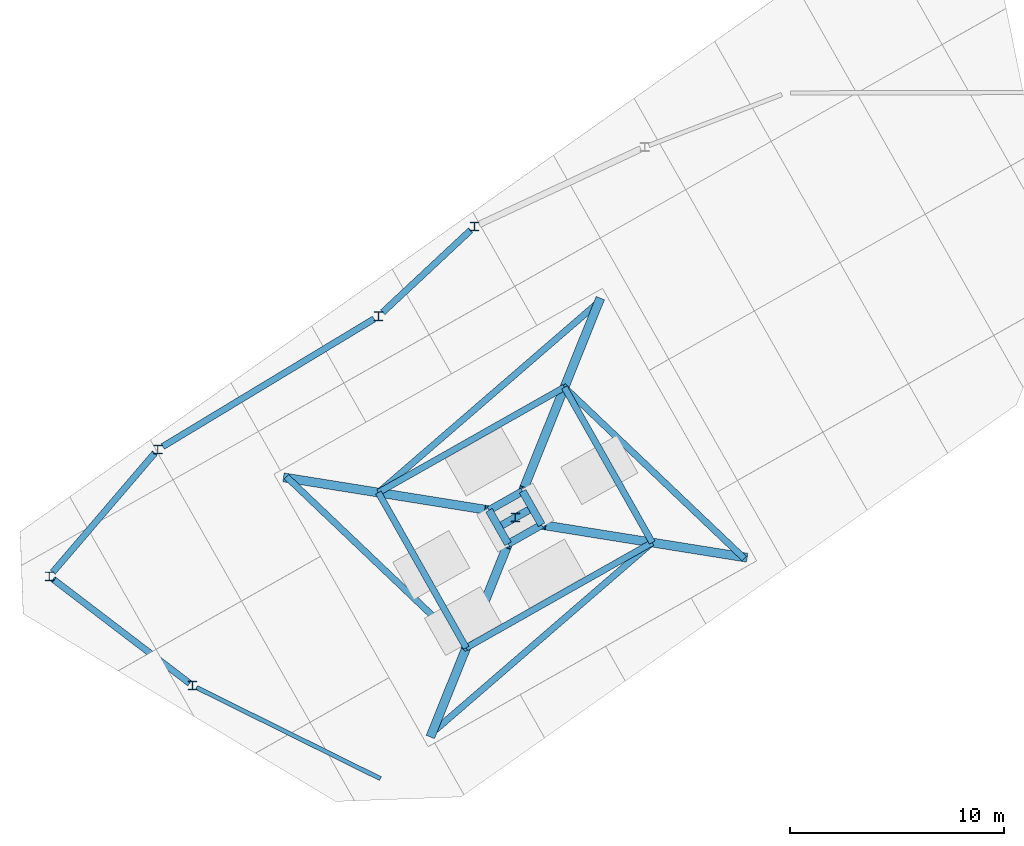
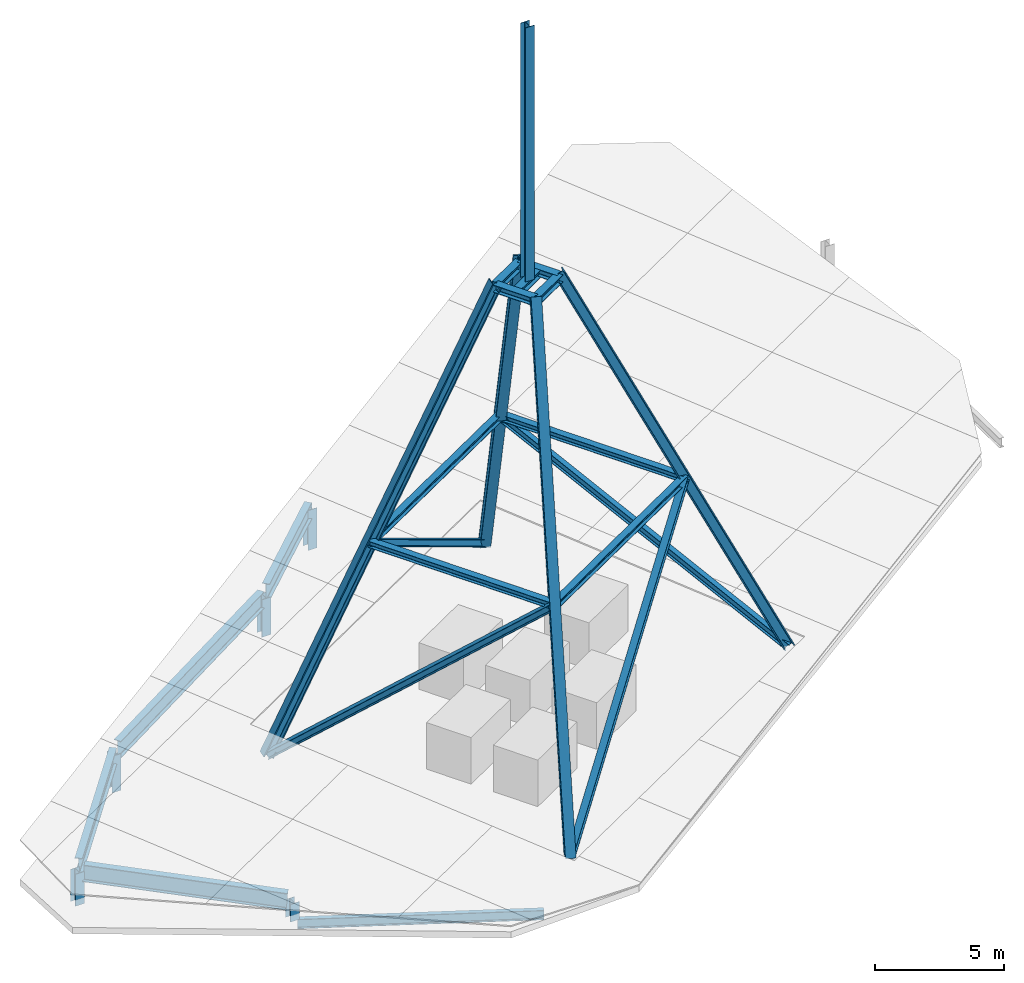
# One storey, part 1 of 5: 27 members, 1 beam.
"""IFC4 building model written with IfcOpenShell, lengths in metres."""

from ifc_helpers import new_model, si_unit, direction, frame, origin, origin_2d, place, context, subcontext, project, spatial, i_section, extrude, material, material_profile, profile_set, type_object, element, save


model = new_model("IFC4")

# Units and contexts
model_context = context("Model", 3, precision=1e-05, world=origin(), true_north=direction((0.0, 1.0)))
body_context = subcontext(model_context, "Body", "Model", "MODEL_VIEW")
ifc_project = project(units=[si_unit("LENGTHUNIT", "METRE"), si_unit("AREAUNIT", "SQUARE_METRE"), si_unit("VOLUMEUNIT", "CUBIC_METRE"), si_unit("PLANEANGLEUNIT", "RADIAN"), si_unit("MASSUNIT", "GRAM", prefix="KILO")], contexts=[model_context])

# Site, building, storey
site_placement = place(None, origin())
site = spatial("IfcSite", under=ifc_project, at=site_placement, CompositionType="ELEMENT")
building_placement = place(site_placement, origin())
building = spatial("IfcBuilding", under=site, at=building_placement, Name="Binnacle Exchange Tower", CompositionType="ELEMENT")
storey_placement = place(building_placement, frame((0.0, 0.0, 372.10009765625)))
storey = spatial("IfcBuildingStorey", under=building, at=storey_placement, Name="RF", CompositionType="ELEMENT", Elevation=372.10009765625)

# Beam
ifc_material_1 = material(Name="Steel S355 (SHN355)", Category="steel")
ifc_material_profile_1 = material_profile(ifc_material_1, i_section(OverallWidth=0.199951171875, OverallDepth=0.449951171875, WebThickness=0.009033203125, FlangeThickness=0.013916015625, FilletRadius=0.01806640625, at=origin_2d()), Name="H 450x200x9x14")
ifc_profile_set_1 = profile_set([ifc_material_profile_1], Name="Steel S355 (SHN355)")
beam_type = type_object("IfcBeamType", Name="Edge girder H 450x200x9x14 Steel S355 (SHN355)", PredefinedType="SPANDREL", material=ifc_profile_set_1)
beam_placement = place(storey_placement, frame((-50.632080078125, 31.841796875, -0.525146484375), z_axis=(0.8960639995, -0.443924890944, 0.0), x_axis=(0.443924890944, 0.8960639995, 0.0)))
element("IfcBeam", 1, at=beam_placement, inside=storey, type_object=beam_type, Name="S:BM:edge:RF:003", PredefinedType="SPANDREL", context=body_context, shape_type="SweptSolid", body=[
    extrude(i_section(OverallWidth=0.199951171875, OverallDepth=0.449951171875, WebThickness=0.009033203125, FlangeThickness=0.013916015625, FilletRadius=0.01806640625, at=origin_2d()), origin(), (0.0, 0.0, 1.0), 9.5703125),
])

# Members
ifc_material_profile_2 = material_profile(ifc_material_1, i_section(OverallWidth=0.35009765625, OverallDepth=0.35009765625, WebThickness=0.011962890625, FlangeThickness=0.01904296875, FilletRadius=0.02001953125, at=origin_2d()), Name="H 350x350x12x19")
ifc_profile_set_2 = profile_set([ifc_material_profile_2], Name="Steel S355 (SHN355)")
member_type_1 = type_object("IfcMemberType", Name="MAST apex ring MS2 H 350x350x12x19 Steel S355 (SHN355)", PredefinedType="STRUT", material=ifc_profile_set_2)
for number, where, z_axis, x_axis, name in (
    (2, (-36.103759765625, 38.539306640625, 19.7998046875), (0.870330346056, 0.492468363181, 0.0), (-0.492468363181, 0.870330346056, 0.0), "S:MS:AR:1"),
    (3, (-34.537109375, 39.42578125, 19.7998046875), (-0.492365617434, 0.870388475779, 0.0), (-0.870388475779, -0.492365617434, 0.0), "S:MS:AR:2"),
    (4, (-35.42333984375, 40.992431640625, 19.7998046875), (-0.870330346056, -0.492468363181, 0.0), (0.492468363181, -0.870330346056, 0.0), "S:MS:AR:3"),
    (5, (-36.989990234375, 40.10595703125, 19.7998046875), (0.492365617434, -0.870388475779, 0.0), (0.870388475779, 0.492365617434, 0.0), "S:MS:AR:4"),
):
    element("IfcMember", number, at=place(storey_placement, frame(where, z_axis=z_axis, x_axis=x_axis)), inside=storey, type_object=member_type_1, Name=name, PredefinedType="STRUT", context=body_context, shape_type="SweptSolid", body=[
        extrude(i_section(OverallWidth=0.35009765625, OverallDepth=0.35009765625, WebThickness=0.011962890625, FlangeThickness=0.01904296875, FilletRadius=0.02001953125, at=origin_2d()), origin(), (0.0, 0.0, 1.0), 1.800048828125),
    ])
ifc_material_profile_3 = material_profile(ifc_material_1, i_section(OverallWidth=0.35009765625, OverallDepth=0.35009765625, WebThickness=0.011962890625, FlangeThickness=0.01904296875, FilletRadius=0.02001953125, at=origin_2d()), Name="H 350x350x12x19")
ifc_profile_set_3 = profile_set([ifc_material_profile_3], Name="Steel S355 (SHN355)")
member_type_2 = type_object("IfcMemberType", Name="MAST apex tie MS6 H 350x350x12x19 Steel S355 (SHN355)", PredefinedType="STRUT", material=ifc_profile_set_3)
member_1_placement = place(storey_placement, frame((-36.546875, 39.32275390625, 19.7998046875), z_axis=(0.870388475779, 0.492365617434, 0.0), x_axis=(-0.492365617434, 0.870388475779, 0.0)))
element("IfcMember", 6, at=member_1_placement, inside=storey, type_object=member_type_2, Name="S:MS:TIE", PredefinedType="STRUT", context=body_context, shape_type="SweptSolid", body=[
    extrude(i_section(OverallWidth=0.35009765625, OverallDepth=0.35009765625, WebThickness=0.011962890625, FlangeThickness=0.01904296875, FilletRadius=0.02001953125, at=origin_2d()), origin(), (0.0, 0.0, 1.0), 1.800048828125),
])
ifc_material_profile_4 = material_profile(ifc_material_1, i_section(OverallWidth=0.300048828125, OverallDepth=0.300048828125, WebThickness=0.010009765625, FlangeThickness=0.014892578125, FilletRadius=0.01806640625, at=origin_2d()), Name="H 300x300x10x15")
ifc_profile_set_4 = profile_set([ifc_material_profile_4], Name="Steel S355 (SHN355)")
member_type_3 = type_object("IfcMemberType", Name="MAST brace MS5 H 300x300x10x15 Steel S355 (SHN355)", PredefinedType="BRACE", material=ifc_profile_set_4)
member_2_placement = place(storey_placement, frame((-39.6484375, 29.726318359375, 0.0), z_axis=(0.630627707398, 0.54489400025, 0.552629372323), x_axis=(-0.65379921324, 0.756668083618, 0.0)))
element("IfcMember", 7, at=member_2_placement, inside=storey, type_object=member_type_3, Name="S:MS:BR:1", PredefinedType="BRACE", context=body_context, shape_type="SweptSolid", body=[
    extrude(i_section(OverallWidth=0.300048828125, OverallDepth=0.300048828125, WebThickness=0.010009765625, FlangeThickness=0.014892578125, FilletRadius=0.01806640625, at=origin_2d()), origin(), (0.0, 0.0, 1.0), 16.285888671875),
])
member_3_placement = place(storey_placement, frame((-25.156982421875, 37.925048828125, 0.0), z_axis=(-0.570117421476, 0.542537033095, 0.616943833303), x_axis=(-0.689367320419, -0.724411966728, 0.0)))
element("IfcMember", 8, at=member_3_placement, inside=storey, type_object=member_type_3, Name="S:MS:BR:2", PredefinedType="BRACE", context=body_context, shape_type="SweptSolid", body=[
    extrude(i_section(OverallWidth=0.300048828125, OverallDepth=0.300048828125, WebThickness=0.010009765625, FlangeThickness=0.014892578125, FilletRadius=0.01806640625, at=origin_2d()), origin(), (0.0, 0.0, 1.0), 14.588134765625),
])
member_4_placement = place(storey_placement, frame((-31.878662109375, 49.805419921875, 0.0), z_axis=(-0.630636736498, -0.544888848964, 0.55262414791), x_axis=(0.65379031488, -0.756675772157, 0.0)))
element("IfcMember", 9, at=member_4_placement, inside=storey, type_object=member_type_3, Name="S:MS:BR:3", PredefinedType="BRACE", context=body_context, shape_type="SweptSolid", body=[
    extrude(i_section(OverallWidth=0.300048828125, OverallDepth=0.300048828125, WebThickness=0.010009765625, FlangeThickness=0.014892578125, FilletRadius=0.01806640625, at=origin_2d()), origin(), (0.0, 0.0, 1.0), 16.285888671875),
])
member_5_placement = place(storey_placement, frame((-46.3701171875, 41.606689453125, 0.0), z_axis=(0.570117421476, -0.542537033095, 0.616943833303), x_axis=(0.689367320419, 0.724411966728, 0.0)))
element("IfcMember", 10, at=member_5_placement, inside=storey, type_object=member_type_3, Name="S:MS:BR:4", PredefinedType="BRACE", context=body_context, shape_type="SweptSolid", body=[
    extrude(i_section(OverallWidth=0.300048828125, OverallDepth=0.300048828125, WebThickness=0.010009765625, FlangeThickness=0.014892578125, FilletRadius=0.01806640625, at=origin_2d()), origin(), (0.0, 0.0, 1.0), 14.588134765625),
])
ifc_material_2 = material(Name="Steel S460 (SHN460)", Category="steel")
ifc_material_profile_5 = material_profile(ifc_material_2, i_section(OverallWidth=0.4169921875, OverallDepth=0.4580078125, WebThickness=0.030029296875, FlangeThickness=0.050048828125, FilletRadius=0.02197265625, at=origin_2d()), Name="H 458x417x30x50")
ifc_profile_set_5 = profile_set([ifc_material_profile_5], Name="Steel S460 (SHN460)")
member_type_4 = type_object("IfcMemberType", Name="MAST leg MS1 H 458x417x30x50 Steel S460 (SHN460)", PredefinedType="BRACE", material=ifc_profile_set_5)
member_6_placement = place(storey_placement, frame((-39.6484375, 29.726318359375, 0.0), z_axis=(0.160094076553, 0.398035400194, 0.903292702752), x_axis=(-0.92776777684, 0.373158079449, 0.0)))
element("IfcMember", 11, at=member_6_placement, inside=storey, type_object=member_type_4, Name="S:MS:LEG:1", PredefinedType="BRACE", context=body_context, shape_type="SweptSolid", body=[
    extrude(i_section(OverallWidth=0.4169921875, OverallDepth=0.4580078125, WebThickness=0.030029296875, FlangeThickness=0.050048828125, FilletRadius=0.02197265625, at=origin_2d()), origin(), (0.0, 0.0, 1.0), 22.14111328125),
])
member_7_placement = place(storey_placement, frame((-25.156982421875, 37.925048828125, 0.0), z_axis=(-0.423647644943, 0.067779653665, 0.903287657108), x_axis=(-0.157981479835, -0.987442075278, 0.0)))
element("IfcMember", 12, at=member_7_placement, inside=storey, type_object=member_type_4, Name="S:MS:LEG:2", PredefinedType="BRACE", context=body_context, shape_type="SweptSolid", body=[
    extrude(i_section(OverallWidth=0.4169921875, OverallDepth=0.4580078125, WebThickness=0.030029296875, FlangeThickness=0.050048828125, FilletRadius=0.02197265625, at=origin_2d()), origin(), (0.0, 0.0, 1.0), 22.141357421875),
])
member_8_placement = place(storey_placement, frame((-31.878662109375, 49.805419921875, 0.0), z_axis=(-0.160094076553, -0.398035400194, 0.903292702752), x_axis=(0.92776777684, -0.373158079449, 0.0)))
element("IfcMember", 13, at=member_8_placement, inside=storey, type_object=member_type_4, Name="S:MS:LEG:3", PredefinedType="BRACE", context=body_context, shape_type="SweptSolid", body=[
    extrude(i_section(OverallWidth=0.4169921875, OverallDepth=0.4580078125, WebThickness=0.030029296875, FlangeThickness=0.050048828125, FilletRadius=0.02197265625, at=origin_2d()), origin(), (0.0, 0.0, 1.0), 22.14111328125),
])
member_9_placement = place(storey_placement, frame((-46.3701171875, 41.606689453125, 0.0), z_axis=(0.423647644943, -0.067779653665, 0.903287657108), x_axis=(0.157981479835, 0.987442075278, 0.0)))
element("IfcMember", 14, at=member_9_placement, inside=storey, type_object=member_type_4, Name="S:MS:LEG:4", PredefinedType="BRACE", context=body_context, shape_type="SweptSolid", body=[
    extrude(i_section(OverallWidth=0.4169921875, OverallDepth=0.4580078125, WebThickness=0.030029296875, FlangeThickness=0.050048828125, FilletRadius=0.02197265625, at=origin_2d()), origin(), (0.0, 0.0, 1.0), 22.141357421875),
])
ifc_material_profile_6 = material_profile(ifc_material_1, i_section(OverallWidth=0.300048828125, OverallDepth=0.300048828125, WebThickness=0.010009765625, FlangeThickness=0.014892578125, FilletRadius=0.01806640625, at=origin_2d()), Name="H 300x300x10x15")
ifc_profile_set_6 = profile_set([ifc_material_profile_6], Name="Steel S355 (SHN355)")
member_type_5 = type_object("IfcMemberType", Name="MAST ring brace MS3 H 300x300x10x15 Steel S355 (SHN355)", PredefinedType="STRUT", material=ifc_profile_set_6)
member_10_placement = place(storey_placement, frame((-38.05322265625, 33.692138671875, 9.0), z_axis=(0.870351540116, 0.492430905426, 0.0), x_axis=(-0.492430905426, 0.870351540116, 0.0)))
element("IfcMember", 15, at=member_10_placement, inside=storey, type_object=member_type_5, Name="S:MS:MR:1", PredefinedType="STRUT", context=body_context, shape_type="SweptSolid", body=[
    extrude(i_section(OverallWidth=0.300048828125, OverallDepth=0.300048828125, WebThickness=0.010009765625, FlangeThickness=0.014892578125, FilletRadius=0.01806640625, at=origin_2d()), origin(), (0.0, 0.0, 1.0), 9.96728515625),
])
member_11_placement = place(storey_placement, frame((-29.378173828125, 38.600341796875, 9.0), z_axis=(-0.492417013671, 0.870359399701, 0.0), x_axis=(-0.870359399701, -0.492417013671, 0.0)))
element("IfcMember", 16, at=member_11_placement, inside=storey, type_object=member_type_5, Name="S:MS:MR:2", PredefinedType="STRUT", context=body_context, shape_type="SweptSolid", body=[
    extrude(i_section(OverallWidth=0.300048828125, OverallDepth=0.300048828125, WebThickness=0.010009765625, FlangeThickness=0.014892578125, FilletRadius=0.01806640625, at=origin_2d()), origin(), (0.0, 0.0, 1.0), 8.317626953125),
])
member_12_placement = place(storey_placement, frame((-33.473876953125, 45.839599609375, 9.0), z_axis=(-0.870357479474, -0.492420407704, 0.0), x_axis=(0.492420407704, -0.870357479474, 0.0)))
element("IfcMember", 17, at=member_12_placement, inside=storey, type_object=member_type_5, Name="S:MS:MR:3", PredefinedType="STRUT", context=body_context, shape_type="SweptSolid", body=[
    extrude(i_section(OverallWidth=0.300048828125, OverallDepth=0.300048828125, WebThickness=0.010009765625, FlangeThickness=0.014892578125, FilletRadius=0.01806640625, at=origin_2d()), origin(), (0.0, 0.0, 1.0), 9.967529296875),
])
member_13_placement = place(storey_placement, frame((-42.149169921875, 40.931396484375, 9.0), z_axis=(0.492439248432, -0.870346819724, 0.0), x_axis=(0.870346819724, 0.492439248432, 0.0)))
element("IfcMember", 18, at=member_13_placement, inside=storey, type_object=member_type_5, Name="S:MS:MR:4", PredefinedType="STRUT", context=body_context, shape_type="SweptSolid", body=[
    extrude(i_section(OverallWidth=0.300048828125, OverallDepth=0.300048828125, WebThickness=0.010009765625, FlangeThickness=0.014892578125, FilletRadius=0.01806640625, at=origin_2d()), origin(), (0.0, 0.0, 1.0), 8.317626953125),
])
ifc_material_profile_7 = material_profile(ifc_material_1, i_section(OverallWidth=0.39990234375, OverallDepth=0.39990234375, WebThickness=0.012939453125, FlangeThickness=0.02099609375, FilletRadius=0.02197265625, at=origin_2d()), Name="H 400x400x13x21")
ifc_profile_set_7 = profile_set([ifc_material_profile_7], Name="Steel S355 (SHN355)")
member_type_6 = type_object("IfcMemberType", Name="MAST shaft MS4 H 400x400x13x21 Steel S355 (SHN355)", PredefinedType="POST", material=ifc_profile_set_7)
member_14_placement = place(storey_placement, frame((-35.763671875, 39.765869140625, 19.974853515625), z_axis=(0.0, 0.0, 1.0), x_axis=(1.0, 0.0, 0.0)))
element("IfcMember", 19, at=member_14_placement, inside=storey, type_object=member_type_6, Name="S:MS:SHAFT", PredefinedType="POST", context=body_context, shape_type="SweptSolid", body=[
    extrude(i_section(OverallWidth=0.39990234375, OverallDepth=0.39990234375, WebThickness=0.012939453125, FlangeThickness=0.02099609375, FilletRadius=0.02197265625, at=origin_2d()), origin(), (0.0, 0.0, 1.0), 12.025146484375),
])
ifc_material_profile_8 = material_profile(ifc_material_1, i_section(OverallWidth=0.39990234375, OverallDepth=0.39990234375, WebThickness=0.012939453125, FlangeThickness=0.02099609375, FilletRadius=0.02197265625, at=origin_2d()), Name="H 400x400x13x21")
ifc_profile_set_8 = profile_set([ifc_material_profile_8], Name="Steel S355 (SHN355)")
member_type_7 = type_object("IfcMemberType", Name="Roof post RP1 H 400x400x13x21 Steel S355 (SHN355)", PredefinedType="POST", material=ifc_profile_set_8)
member_15_placement = place(storey_placement, frame((-37.6640625, 53.333740234375, -0.300048828125), z_axis=(0.0, 0.0, 1.0), x_axis=(1.0, 0.0, 0.0)))
element("IfcMember", 20, at=member_15_placement, inside=storey, type_object=member_type_7, Name="S:RP:03", PredefinedType="POST", context=body_context, shape_type="SweptSolid", body=[
    extrude(i_section(OverallWidth=0.39990234375, OverallDepth=0.39990234375, WebThickness=0.012939453125, FlangeThickness=0.02099609375, FilletRadius=0.02197265625, at=origin_2d()), origin(), (0.0, 0.0, 1.0), 1.898193359375),
])
member_16_placement = place(storey_placement, frame((-42.144287109375, 49.15283203125, -0.300048828125), z_axis=(0.0, 0.0, 1.0), x_axis=(1.0, 0.0, 0.0)))
element("IfcMember", 21, at=member_16_placement, inside=storey, type_object=member_type_7, Name="S:RP:04", PredefinedType="POST", context=body_context, shape_type="SweptSolid", body=[
    extrude(i_section(OverallWidth=0.39990234375, OverallDepth=0.39990234375, WebThickness=0.012939453125, FlangeThickness=0.02099609375, FilletRadius=0.02197265625, at=origin_2d()), origin(), (0.0, 0.0, 1.0), 1.77294921875),
])
member_17_placement = place(storey_placement, frame((-52.434814453125, 42.936279296875, -0.300048828125), z_axis=(0.0, 0.0, 1.0), x_axis=(1.0, 0.0, 0.0)))
element("IfcMember", 22, at=member_17_placement, inside=storey, type_object=member_type_7, Name="S:RP:05", PredefinedType="POST", context=body_context, shape_type="SweptSolid", body=[
    extrude(i_section(OverallWidth=0.39990234375, OverallDepth=0.39990234375, WebThickness=0.012939453125, FlangeThickness=0.02099609375, FilletRadius=0.02197265625, at=origin_2d()), origin(), (0.0, 0.0, 1.0), 1.74267578125),
])
member_18_placement = place(storey_placement, frame((-57.492919921875, 37.02734375, -0.300048828125), z_axis=(0.0, 0.0, 1.0), x_axis=(1.0, 0.0, 0.0)))
element("IfcMember", 23, at=member_18_placement, inside=storey, type_object=member_type_7, Name="S:RP:06", PredefinedType="POST", context=body_context, shape_type="SweptSolid", body=[
    extrude(i_section(OverallWidth=0.39990234375, OverallDepth=0.39990234375, WebThickness=0.012939453125, FlangeThickness=0.02099609375, FilletRadius=0.02197265625, at=origin_2d()), origin(), (0.0, 0.0, 1.0), 1.5107421875),
])
member_19_placement = place(storey_placement, frame((-50.81201171875, 31.930908203125, -0.300048828125), z_axis=(0.0, 0.0, 1.0), x_axis=(1.0, 0.0, 0.0)))
element("IfcMember", 24, at=member_19_placement, inside=storey, type_object=member_type_7, Name="S:RP:07", PredefinedType="POST", context=body_context, shape_type="SweptSolid", body=[
    extrude(i_section(OverallWidth=0.39990234375, OverallDepth=0.39990234375, WebThickness=0.012939453125, FlangeThickness=0.02099609375, FilletRadius=0.02197265625, at=origin_2d()), origin(), (0.0, 0.0, 1.0), 0.8349609375),
])
ifc_material_profile_9 = material_profile(ifc_material_1, i_section(OverallWidth=0.300048828125, OverallDepth=0.800048828125, WebThickness=0.013916015625, FlangeThickness=0.02587890625, FilletRadius=0.028076171875, at=origin_2d()), Name="H 800x300x14x26")
ifc_profile_set_9 = profile_set([ifc_material_profile_9], Name="Steel S355 (SHN355)")
member_type_8 = type_object("IfcMemberType", Name="Roof ring beam RB1 H 800x300x14x26 Steel S355 (SHN355)", PredefinedType="MEMBER", material=ifc_profile_set_9)
member_20_placement = place(storey_placement, frame((-37.849365234375, 53.160888671875, 1.593017578125), z_axis=(-0.730961763148, -0.682111761672, -0.020455938118), x_axis=(0.682254519742, -0.731114744956, 0.0)))
element("IfcMember", 25, at=member_20_placement, inside=storey, type_object=member_type_8, Name="S:RB:02", PredefinedType="MEMBER", context=body_context, shape_type="SweptSolid", body=[
    extrude(i_section(OverallWidth=0.300048828125, OverallDepth=0.800048828125, WebThickness=0.013916015625, FlangeThickness=0.02587890625, FilletRadius=0.028076171875, at=origin_2d()), origin(), (0.0, 0.0, 1.0), 5.597412109375),
])
member_21_placement = place(storey_placement, frame((-42.346435546875, 49.03076171875, 1.47216796875), z_axis=(-0.8559355402, -0.517076485929, -0.002501743628), x_axis=(0.517078104056, -0.855938218744, 0.0)))
element("IfcMember", 26, at=member_21_placement, inside=storey, type_object=member_type_8, Name="S:RB:03", PredefinedType="MEMBER", context=body_context, shape_type="SweptSolid", body=[
    extrude(i_section(OverallWidth=0.300048828125, OverallDepth=0.800048828125, WebThickness=0.013916015625, FlangeThickness=0.02587890625, FilletRadius=0.028076171875, at=origin_2d()), origin(), (0.0, 0.0, 1.0), 11.515380859375),
])
member_22_placement = place(storey_placement, frame((-52.5771484375, 42.769775390625, 1.436279296875), z_axis=(-0.650028179501, -0.759324657167, -0.029823327647), x_axis=(0.75966256599, -0.650317450045, 0.0)))
element("IfcMember", 27, at=member_22_placement, inside=storey, type_object=member_type_8, Name="S:RB:04", PredefinedType="MEMBER", context=body_context, shape_type="SweptSolid", body=[
    extrude(i_section(OverallWidth=0.300048828125, OverallDepth=0.800048828125, WebThickness=0.013916015625, FlangeThickness=0.02587890625, FilletRadius=0.028076171875, at=origin_2d()), origin(), (0.0, 0.0, 1.0), 7.302001953125),
])
member_23_placement = place(storey_placement, frame((-57.294921875, 36.876220703125, 1.190673828125), z_axis=(0.792525420191, -0.604545820352, -0.080173620638), x_axis=(0.606498190173, 0.795084866739, 0.0)))
element("IfcMember", 28, at=member_23_placement, inside=storey, type_object=member_type_8, Name="S:RB:05", PredefinedType="MEMBER", context=body_context, shape_type="SweptSolid", body=[
    extrude(i_section(OverallWidth=0.300048828125, OverallDepth=0.800048828125, WebThickness=0.013916015625, FlangeThickness=0.02587890625, FilletRadius=0.028076171875, at=origin_2d()), origin(), (0.0, 0.0, 1.0), 7.978271484375),
])

save(model, "model.ifc")
